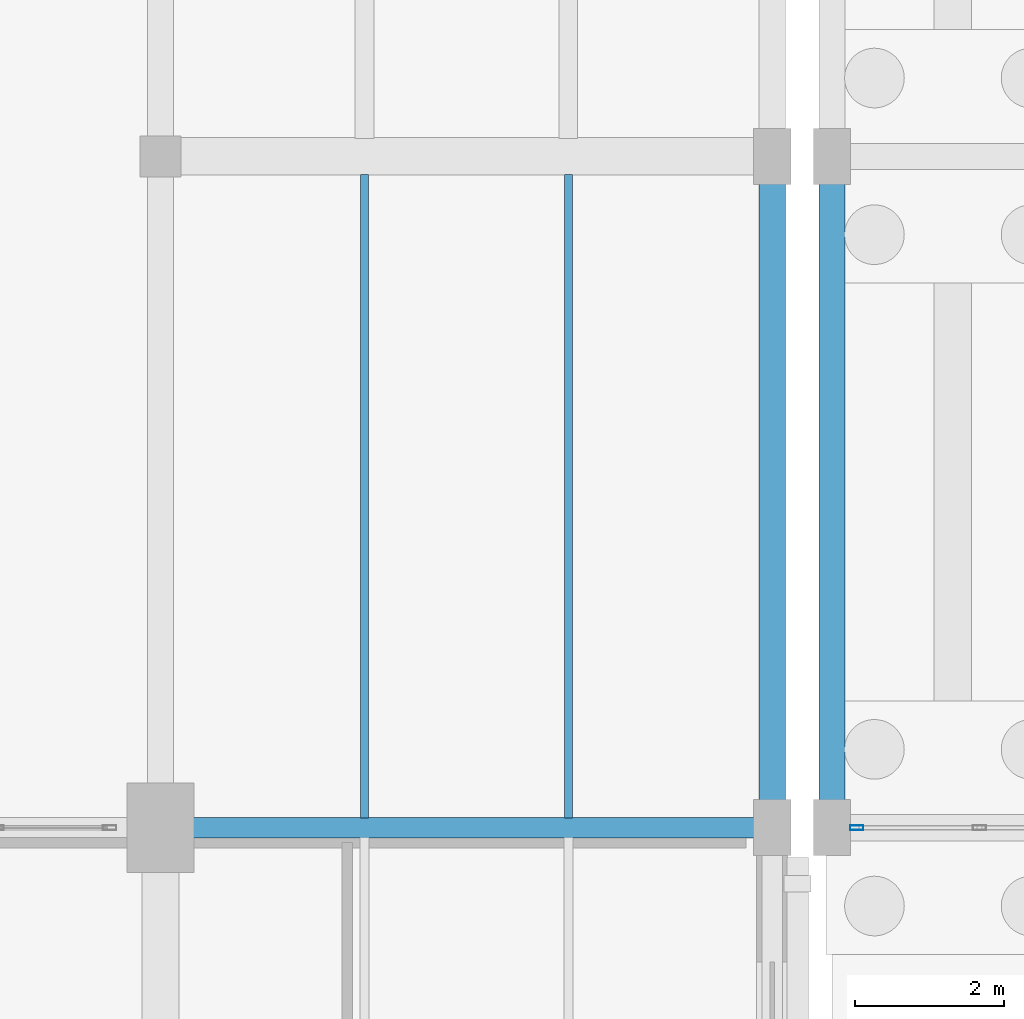
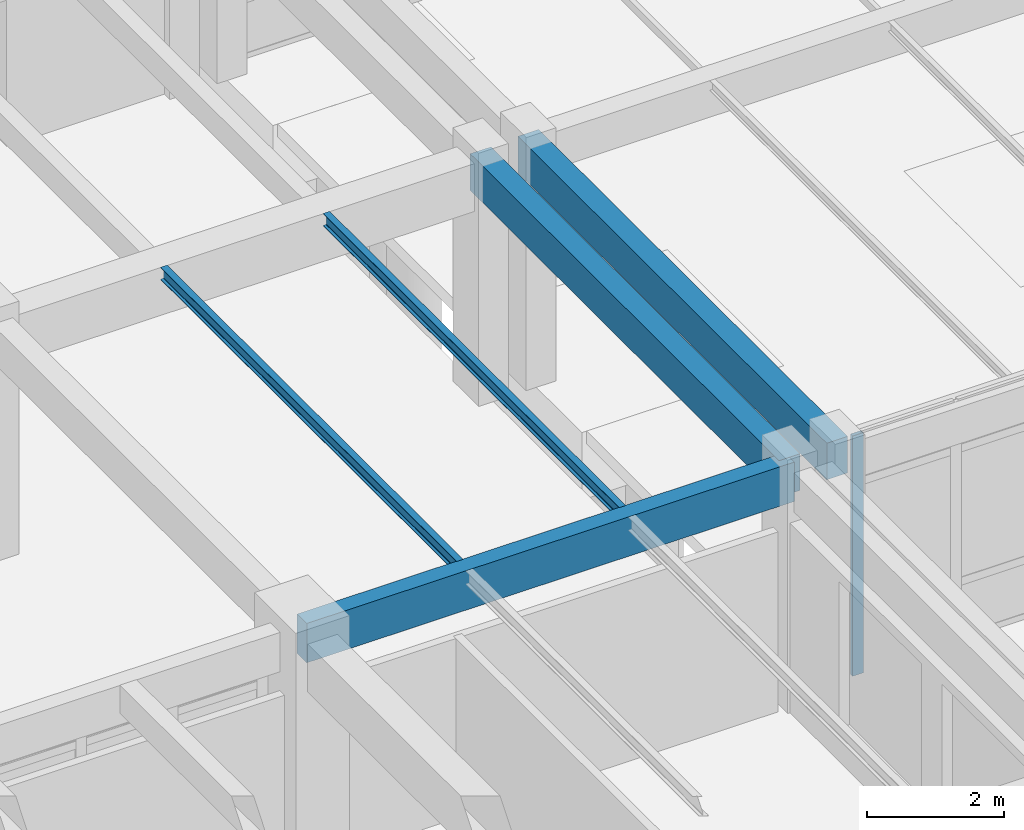
# One storey, part 90 of 186: 5 beams, 1 member, 1 element without a shape of its own.
"""IFC4 building model written with IfcOpenShell, lengths in metres."""

from ifc_helpers import new_model, si_unit, direction, frame, origin, origin_2d, place, context, subcontext, project, spatial, rectangle, hollow_rectangle, i_section, extrude, material, layer, layer_set, material_profile, profile_set, type_object, element, aggregate, save


model = new_model("IFC4")

# Units and contexts
model_context = context("Model", 3, precision=1e-05, world=origin(), true_north=direction((0.0, 1.0)))
body_context = subcontext(model_context, "Body", "Model", "MODEL_VIEW")
ifc_project = project(units=[si_unit("LENGTHUNIT", "METRE"), si_unit("AREAUNIT", "SQUARE_METRE"), si_unit("VOLUMEUNIT", "CUBIC_METRE"), si_unit("PLANEANGLEUNIT", "RADIAN"), si_unit("MASSUNIT", "GRAM", prefix="KILO")], contexts=[model_context])

# Site, building, storey
site_placement = place(None, origin())
site = spatial("IfcSite", under=ifc_project, at=site_placement, CompositionType="ELEMENT")
building_placement = place(site_placement, origin())
building = spatial("IfcBuilding", under=site, at=building_placement, Name="Ornek Quay Market", CompositionType="ELEMENT")
storey_placement = place(building_placement, origin())
storey = spatial("IfcBuildingStorey", under=building, at=storey_placement, Name="L00", CompositionType="ELEMENT", Elevation=0.0)

# Beams
ifc_material_1 = material(Name="Concrete C35/45", Category="concrete")
ifc_material_profile_1 = material_profile(ifc_material_1, rectangle(XDim=0.35009765625, YDim=0.64990234375, at=origin_2d()), Name="RC 350x650", Category="concrete")
ifc_profile_set_1 = profile_set([ifc_material_profile_1], Name="Concrete C35/45")
beam_type_1 = type_object("IfcBeamType", Name="BM-CONC-350x650", PredefinedType="BEAM", material=ifc_profile_set_1)
for number, where, z_axis, x_axis, name in (
    (1, (126.0, 92.0, 3.945068359375), (0.0, 1.0, 0.0), (-1.0, 0.0, 0.0), "Primary beam B-CN1-079"),
    (2, (125.199951171875, 92.0, 3.9150390625), (0.0, 1.0, 0.0), (-1.0, 0.0, 0.0), "Primary beam B-CN1-111"),
):
    element("IfcBeam", number, at=place(storey_placement, frame(where, z_axis=z_axis, x_axis=x_axis)), inside=storey, type_object=beam_type_1, Name=name, PredefinedType="BEAM", context=body_context, shape_type="SweptSolid", body=[
        extrude(rectangle(XDim=0.35009765625, YDim=0.64990234375, at=origin_2d()), origin(), (0.0, 0.0, 1.0), 9.0),
    ])
ifc_material_profile_2 = material_profile(ifc_material_1, rectangle(XDim=0.280029296875, YDim=0.699951171875, at=origin_2d()), Name="RC 280x700", Category="concrete")
ifc_profile_set_2 = profile_set([ifc_material_profile_2], Name="Concrete C35/45")
beam_type_2 = type_object("IfcBeamType", Name="BM-SPN-280x700", PredefinedType="SPANDREL", material=ifc_profile_set_2)
beam_placement = place(storey_placement, frame((117.0, 92.0, 3.889892578125), z_axis=(1.0, 0.0, 0.0), x_axis=(0.0, 1.0, 0.0)))
element("IfcBeam", 3, at=beam_placement, inside=storey, type_object=beam_type_2, Name="Primary beam B-SP2-034", PredefinedType="SPANDREL", context=body_context, shape_type="SweptSolid", body=[
    extrude(rectangle(XDim=0.280029296875, YDim=0.699951171875, at=origin_2d()), origin(), (0.0, 0.0, 1.0), 8.199951171875),
])
ifc_material_2 = material(Name="Steel S355", Category="steel")
ifc_material_profile_3 = material_profile(ifc_material_2, i_section(OverallWidth=0.110107421875, OverallDepth=0.219970703125, WebThickness=0.005859375, FlangeThickness=0.00927734375, FilletRadius=0.011962890625, at=origin_2d()), Name="IPE 220", Category="steel")
ifc_profile_set_3 = profile_set([ifc_material_profile_3], Name="Steel S355")
beam_type_3 = type_object("IfcBeamType", Name="BM-STL-IPE220", PredefinedType="JOIST", material=ifc_profile_set_3)
for number, where, z_axis, x_axis, name in (
    (4, (119.7333984375, 92.132080078125, 4.1298828125), (0.0, 1.0, 0.0), (-1.0, 0.0, 0.0), "Secondary joist SB-03-020"),
    (5, (122.466796875, 92.132080078125, 4.1298828125), (0.0, 1.0, 0.0), (-1.0, 0.0, 0.0), "Secondary joist SB-03-021"),
):
    element("IfcBeam", number, at=place(storey_placement, frame(where, z_axis=z_axis, x_axis=x_axis)), inside=storey, type_object=beam_type_3, Name=name, PredefinedType="JOIST", context=body_context, shape_type="SweptSolid", body=[
        extrude(i_section(OverallWidth=0.110107421875, OverallDepth=0.219970703125, WebThickness=0.005859375, FlangeThickness=0.00927734375, FilletRadius=0.011962890625, at=origin_2d()), origin(), (0.0, 0.0, 1.0), 8.6259765625),
    ])

# Curtain wall, member
ifc_material_3 = material(Name="Anodised bronze aluminium and triple low-e glass", Category="aluminium")
ifc_layer = layer(ifc_material_3, 0.199951171875, Name="Anodised bronze aluminium and triple low-e glass", Category="aluminium")
ifc_layer_set = layer_set([ifc_layer], Name="Anodised bronze aluminium and triple low-e glass")
curtain_wall_type = type_object("IfcCurtainWallType", Name="CW-CONC-MOD1800", PredefinedType="USERDEFINED", material=ifc_layer_set)
curtain_wall_placement = place(storey_placement, origin())
curtain_wall = element("IfcCurtainWall", 6, at=curtain_wall_placement, inside=storey, type_object=curtain_wall_type, Name="Curtain wall CW-026", ObjectType="CURTAIN WALL", PredefinedType="USERDEFINED")
ifc_material_4 = material(Name="Anodised aluminium 6063-T6", Category="aluminium")
ifc_material_profile_4 = material_profile(ifc_material_4, hollow_rectangle(XDim=0.06494140625, YDim=0.179931640625, WallThickness=0.00439453125, at=origin_2d()), Name="CW-MUL-65x180", Category="aluminium")
ifc_profile_set_4 = profile_set([ifc_material_profile_4], Name="Anodised aluminium 6063-T6")
member_type = type_object("IfcMemberType", Name="CW-MUL-65x180", PredefinedType="MULLION", material=ifc_profile_set_4)
member_placement = place(storey_placement, frame((126.33251953125, 92.0, 0.0), z_axis=(0.0, 0.0, 1.0), x_axis=(0.0, 1.0, 0.0)))
member = element("IfcMember", 7, at=member_placement, type_object=member_type, Name="CW-026 mullion 1", PredefinedType="MULLION", context=body_context, shape_type="SweptSolid", body=[
    extrude(hollow_rectangle(XDim=0.06494140625, YDim=0.179931640625, WallThickness=0.00439453125, at=origin_2d()), origin(), (0.0, 0.0, 1.0), 4.27001953125),
])
aggregate(curtain_wall, [member])

save(model, "model.ifc")
